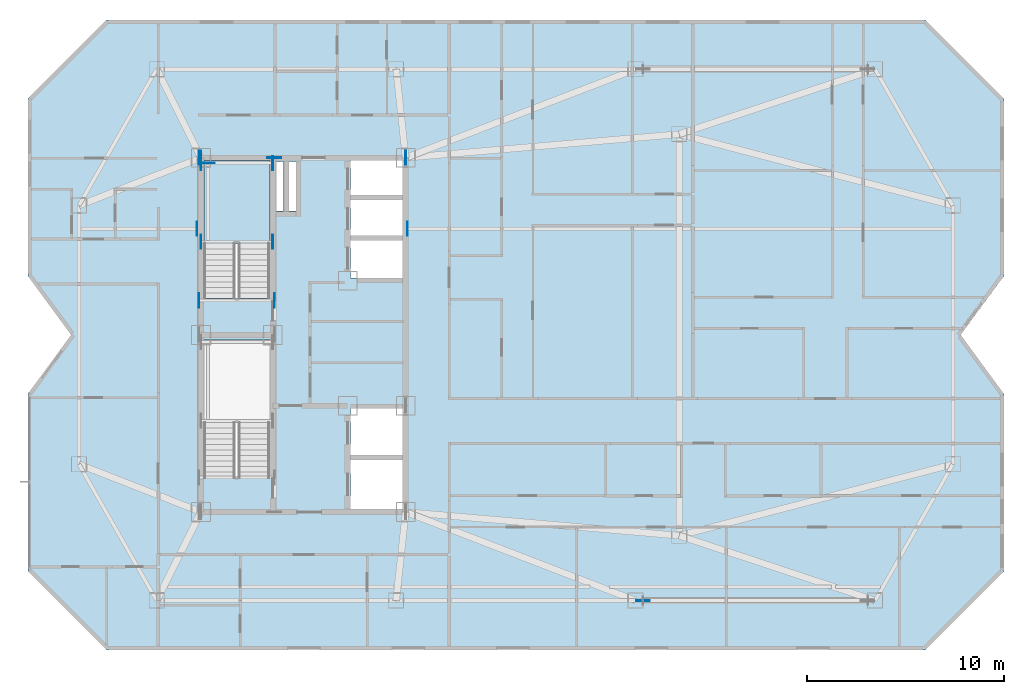
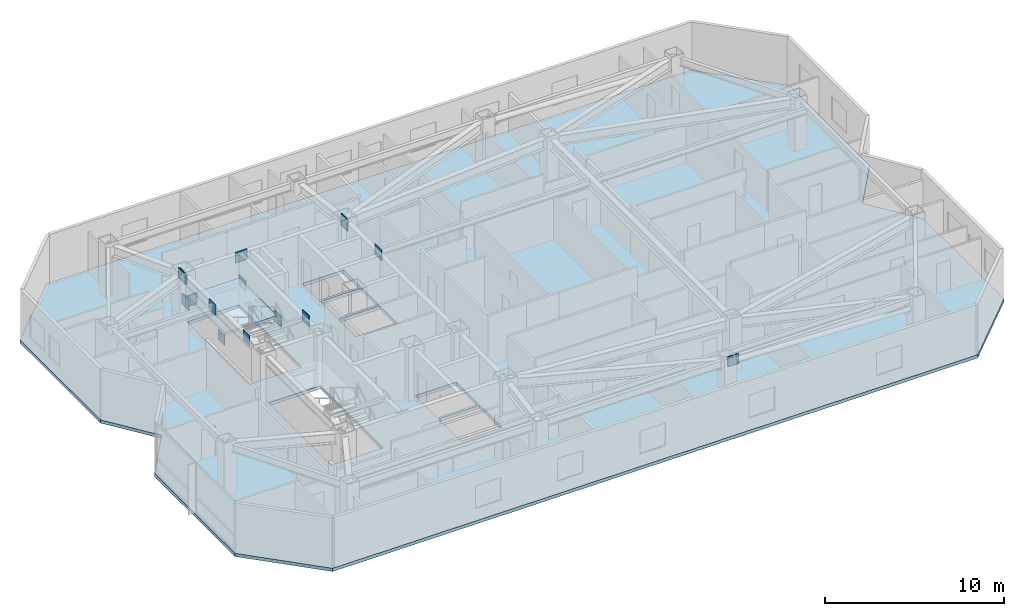
# One storey, part 6 of 14: 15 plates, 2 slabs, 1 element without a shape of its own.
"""IFC4 building model written with IfcOpenShell, lengths in metres."""

from ifc_helpers import new_model, si_unit, direction, frame, origin, origin_2d, place, context, subcontext, project, spatial, polyline, rectangle, outline, extrude, material, layer, layer_set, type_object, element, aggregate, save


model = new_model("IFC4")

# Units and contexts
model_context = context("Model", 3, precision=1e-05, world=origin(), true_north=direction((0.0, 1.0)))
body_context = subcontext(model_context, "Body", "Model", "MODEL_VIEW")
ifc_project = project(units=[si_unit("LENGTHUNIT", "METRE"), si_unit("AREAUNIT", "SQUARE_METRE"), si_unit("VOLUMEUNIT", "CUBIC_METRE"), si_unit("PLANEANGLEUNIT", "RADIAN"), si_unit("MASSUNIT", "GRAM", prefix="KILO")], contexts=[model_context])

# Site, building, storey
site_placement = place(None, origin())
site = spatial("IfcSite", under=ifc_project, at=site_placement, CompositionType="ELEMENT")
building_placement = place(site_placement, origin())
building = spatial("IfcBuilding", under=site, at=building_placement, Name="Khamvora Tower", CompositionType="ELEMENT")
storey_placement = place(building_placement, frame((0.0, 0.0, 253.699951171875)))
storey = spatial("IfcBuildingStorey", under=building, at=storey_placement, Name="L65", CompositionType="ELEMENT", Elevation=253.699951171875)

# Plates
ifc_material_1 = material(Name="Steel S460", Category="steel")
ifc_layer_1 = layer(ifc_material_1, 0.034912109375)
ifc_layer_set_1 = layer_set([ifc_layer_1], Name="Steel S460")
plate_type_1 = type_object("IfcPlateType", Name="PL-EMB-35", PredefinedType="SHEET", material=ifc_layer_set_1)
for number, where, z_axis, x_axis, name in (
    (1, (29.0, 32.735107421875, 1.13427734375), (0.0, 0.0, 1.0), (1.0, 0.0, 0.0), "L65 core shear wall cast-in embed plate 1892"),
    (2, (32.64990234375, 32.735107421875, 1.13427734375), (0.0, 0.0, 1.0), (1.0, 0.0, 0.0), "L65 core shear wall cast-in embed plate 1893"),
    (3, (29.0, 36.72998046875, 1.13427734375), (0.0, 0.0, 1.0), (1.0, 0.0, 0.0), "L65 core shear wall cast-in embed plate 1894"),
    (4, (32.64990234375, 36.72998046875, 1.13427734375), (0.0, 0.0, 1.0), (1.0, 0.0, 0.0), "L65 core shear wall cast-in embed plate 1895"),
):
    element("IfcPlate", number, at=place(storey_placement, frame(where, z_axis=z_axis, x_axis=x_axis)), inside=storey, type_object=plate_type_1, Name=name, PredefinedType="SHEET", context=body_context, shape_type="SweptSolid", body=[
        extrude(rectangle(XDim=0.034912109375, YDim=0.719970703125, at=origin_2d()), origin(), (0.0, 0.0, 1.0), 0.719970703125),
    ])
plate_1_placement = place(storey_placement, frame((29.35009765625, 36.72998046875, 1.13427734375), z_axis=(0.0, 0.0, 1.0), x_axis=(1.0, 0.0, 0.0)))
element("IfcPlate", 5, at=plate_1_placement, inside=storey, type_object=plate_type_1, Name="L65 core shear wall cast-in embed plate 1896", PredefinedType="SHEET", context=body_context, shape_type="SweptSolid", body=[
    extrude(rectangle(XDim=0.719970703125, YDim=0.034912109375, at=origin_2d()), origin(), (0.0, 0.0, 1.0), 0.719970703125),
])
for number, where, z_axis, x_axis, name in (
    (6, (29.0, 37.0, 2.72216796875), (0.0, 0.0, 1.0), (1.0, 0.0, 0.0), "L65 core shear wall cast-in embed plate 1899"),
    (7, (39.39990234375, 37.0, 2.72216796875), (0.0, 0.0, 1.0), (1.0, 0.0, 0.0), "L65 core shear wall cast-in embed plate 1900"),
    (8, (28.89990234375, 37.0, 2.80322265625), (0.0, 0.0, 1.0), (1.0, 0.0, 0.0), "L65 core shear wall cast-in embed plate 1903"),
):
    element("IfcPlate", number, at=place(storey_placement, frame(where, z_axis=z_axis, x_axis=x_axis)), inside=storey, type_object=plate_type_1, Name=name, PredefinedType="SHEET", context=body_context, shape_type="SweptSolid", body=[
        extrude(rectangle(XDim=0.034912109375, YDim=0.719970703125, at=origin_2d()), origin(), (0.0, 0.0, 1.0), 0.719970703125),
    ])
plate_2_placement = place(storey_placement, frame((32.72998046875, 37.0, 2.80322265625), z_axis=(0.0, 0.0, 1.0), x_axis=(1.0, 0.0, 0.0)))
element("IfcPlate", 9, at=plate_2_placement, inside=storey, type_object=plate_type_1, Name="L65 core shear wall cast-in embed plate 1906", PredefinedType="SHEET", context=body_context, shape_type="SweptSolid", body=[
    extrude(rectangle(XDim=0.719970703125, YDim=0.034912109375, at=origin_2d()), origin(), (0.0, 0.0, 1.0), 0.719970703125),
])
for number, where, z_axis, x_axis, name in (
    (10, (39.39990234375, 37.0, 2.80322265625), (0.0, 0.0, 1.0), (1.0, 0.0, 0.0), "L65 core shear wall cast-in embed plate 1909"),
    (11, (28.89990234375, 29.75, 2.94384765625), (0.0, 0.0, 1.0), (1.0, 0.0, 0.0), "L65 core shear wall cast-in embed plate 1912"),
    (12, (32.72998046875, 29.75, 2.94384765625), (0.0, 0.0, 1.0), (1.0, 0.0, 0.0), "L65 core shear wall cast-in embed plate 1913"),
    (13, (28.800048828125, 33.39990234375, 2.8662109375), (0.0, 0.0, 1.0), (1.0, 0.0, 0.0), "L65 core shear wall cast-in embed plate 1914"),
    (14, (39.4990234375, 33.39990234375, 2.8662109375), (0.0, 0.0, 1.0), (1.0, 0.0, 0.0), "L65 core shear wall cast-in embed plate 1915"),
):
    element("IfcPlate", number, at=place(storey_placement, frame(where, z_axis=z_axis, x_axis=x_axis)), inside=storey, type_object=plate_type_1, Name=name, PredefinedType="SHEET", context=body_context, shape_type="SweptSolid", body=[
        extrude(rectangle(XDim=0.034912109375, YDim=0.719970703125, at=origin_2d()), origin(), (0.0, 0.0, 1.0), 0.719970703125),
    ])
ifc_layer_2 = layer(ifc_material_1, 0.0400390625)
ifc_layer_set_2 = layer_set([ifc_layer_2], Name="Steel S460")
plate_type_2 = type_object("IfcPlateType", Name="PLT-GUS-40", PredefinedType="SHEET", material=ifc_layer_set_2)
plate_3_placement = place(storey_placement, frame((51.462890625, 14.5, 2.80810546875), z_axis=(0.0, 0.0, 1.0), x_axis=(1.0, 0.0, 0.0)))
element("IfcPlate", 15, at=plate_3_placement, inside=storey, type_object=plate_type_2, Name="L65 brace connection node gusset plate 0414", PredefinedType="SHEET", context=body_context, shape_type="SweptSolid", body=[
    extrude(rectangle(XDim=0.679931640625, YDim=0.0400390625, at=origin_2d()), origin(), (0.0, 0.0, 1.0), 0.679931640625),
])

# Stair, slab
ifc_material_2 = material(Name="Concrete C40/50", Category="concrete")
stair_type = type_object("IfcStairType", Name="STR-ST-02", PredefinedType="HALF_TURN_STAIR", material=ifc_material_2)
stair_placement = place(storey_placement, origin())
stair = element("IfcStair", 16, at=stair_placement, inside=storey, type_object=stair_type, Name="L65 North Tower Exit Stair ST-02", PredefinedType="HALF_TURN_STAIR")
ifc_layer_3 = layer(ifc_material_2, 0.199951171875)
ifc_layer_set_3 = layer_set([ifc_layer_3], Name="Concrete C40/50")
slab_type_1 = type_object("IfcSlabType", Name="SLB-LND-200", PredefinedType="LANDING", material=ifc_layer_set_3)
slab_1_placement = place(storey_placement, frame((0.0, 0.0, 1.625)))
slab_1 = element("IfcSlab", 17, at=slab_1_placement, type_object=slab_type_1, Name="ST-02 landing 1", PredefinedType="LANDING", context=body_context, shape_type="SweptSolid", body=[
    extrude(outline(polyline([(32.5, 32.614990234375), (32.5, 36.85009765625), (29.14990234375, 36.85009765625), (29.14990234375, 32.614990234375), (32.5, 32.614990234375)])), origin(), (0.0, 0.0, 1.0), 0.199951171875),
])
aggregate(stair, [slab_1])

# Slab
ifc_material_3 = material(Name="Concrete C35/45", Category="concrete")
ifc_layer_4 = layer(ifc_material_3, 0.219970703125)
ifc_layer_set_4 = layer_set([ifc_layer_4], Name="Concrete C35/45")
slab_type_2 = type_object("IfcSlabType", Name="SLB-TYP-220", PredefinedType="FLOOR", material=ifc_layer_set_4)
slab_2_placement = place(storey_placement, frame((0.0, 0.0, -0.219970703125)))
element("IfcSlab", 18, at=slab_2_placement, inside=storey, type_object=slab_type_2, Name="L65 structural floor slab", PredefinedType="FLOOR", context=body_context, shape_type="SweptSolid", body=[
    extrude(outline(polyline([(24.199951171875, 12.0), (65.800048828125, 12.0), (69.800048828125, 16.0), (69.800048828125, 25.0), (67.60009765625, 28.0), (69.800048828125, 31.0), (69.800048828125, 40.0), (65.800048828125, 44.0), (24.199951171875, 44.0), (20.199951171875, 40.0), (20.199951171875, 31.0), (22.39990234375, 28.0), (20.199951171875, 25.0), (20.199951171875, 16.0), (24.199951171875, 12.0)]), holes=[polyline([(32.5, 20.760009765625), (32.5, 27.75), (29.14990234375, 27.75), (29.14990234375, 20.760009765625), (32.5, 20.760009765625)]), polyline([(32.5, 29.860107421875), (32.5, 36.85009765625), (29.14990234375, 36.85009765625), (29.14990234375, 29.860107421875), (32.5, 29.860107421875)]), polyline([(36.60009765625, 19.14990234375), (39.25, 19.14990234375), (39.25, 21.64990234375), (36.60009765625, 21.64990234375), (36.60009765625, 19.14990234375)]), polyline([(36.60009765625, 21.800048828125), (39.25, 21.800048828125), (39.25, 24.25), (36.60009765625, 24.25), (36.60009765625, 21.800048828125)]), polyline([(36.60009765625, 30.89990234375), (39.25, 30.89990234375), (39.25, 32.800048828125), (36.60009765625, 32.800048828125), (36.60009765625, 30.89990234375)]), polyline([(36.60009765625, 32.949951171875), (39.25, 32.949951171875), (39.25, 34.85009765625), (36.60009765625, 34.85009765625), (36.60009765625, 32.949951171875)]), polyline([(36.60009765625, 35.0), (39.25, 35.0), (39.25, 36.85009765625), (36.60009765625, 36.85009765625), (36.60009765625, 35.0)]), polyline([(32.800048828125, 34.300048828125), (33.199951171875, 34.300048828125), (33.199951171875, 36.800048828125), (32.800048828125, 36.800048828125), (32.800048828125, 34.300048828125)]), polyline([(33.47998046875, 34.300048828125), (33.820068359375, 34.300048828125), (33.820068359375, 36.800048828125), (33.47998046875, 36.800048828125), (33.47998046875, 34.300048828125)])]), origin(), (0.0, 0.0, 1.0), 0.219970703125),
])

save(model, "model.ifc")
